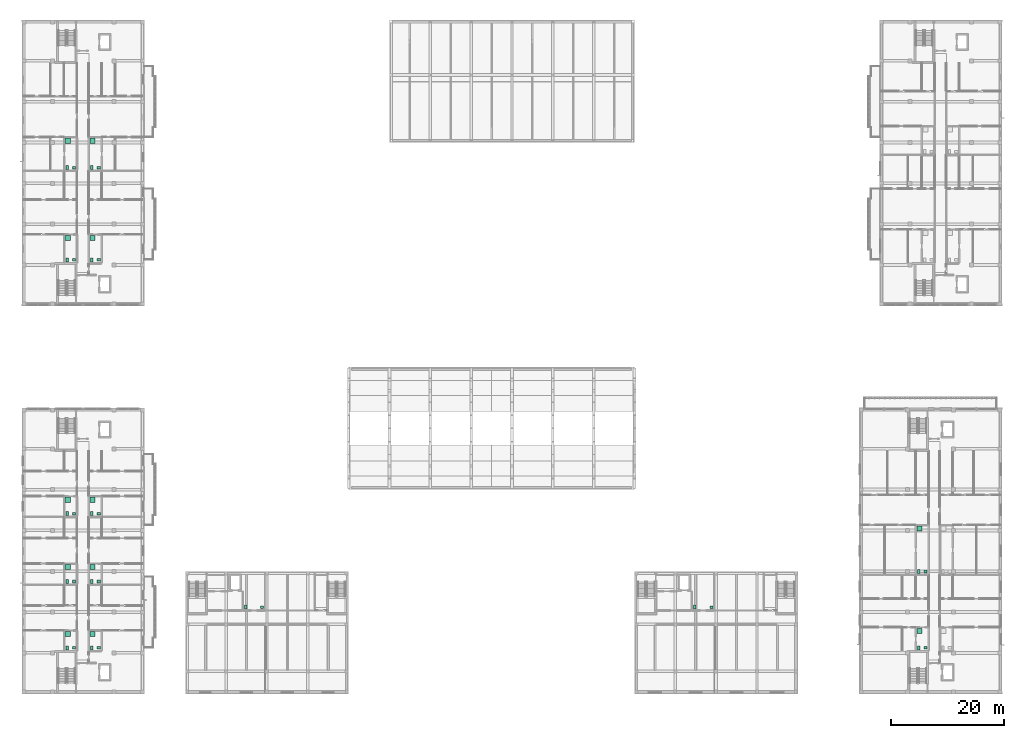
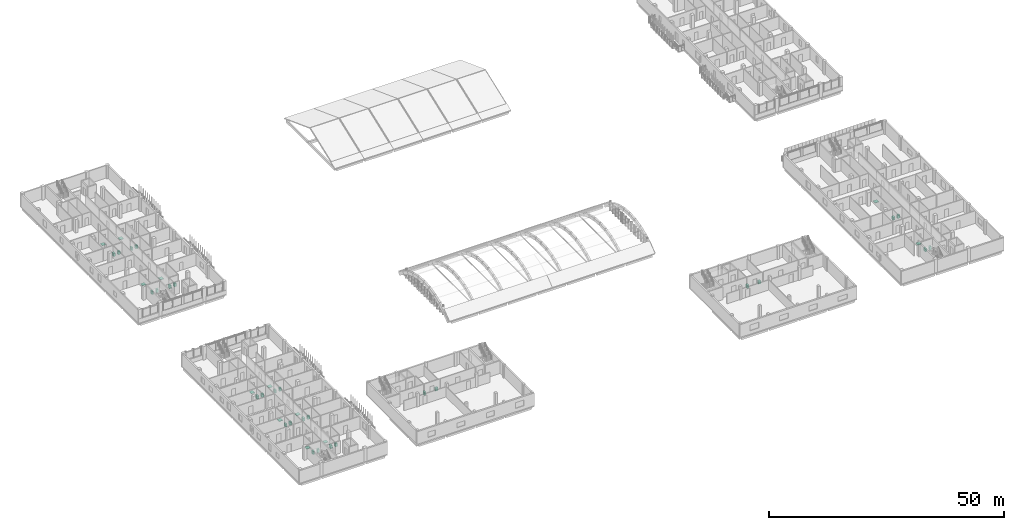
# One storey, part 72 of 73: 40 sanitary terminals.
"""IFC4 building model written with IfcOpenShell, lengths in metres."""

from ifc_helpers import new_model, si_unit, derived_unit, direction, frame, origin, origin_2d, place, context, subcontext, project, spatial, rectangle, extrude, material, type_object, element, save


model = new_model("IFC4")

# Units and contexts
model_context = context("Model", 3, precision=1e-05, world=origin(), true_north=direction((0.0, 1.0)))
body_context = subcontext(model_context, "Body", "Model", "MODEL_VIEW")
ifc_project = project(units=[si_unit("LENGTHUNIT", "METRE"), si_unit("AREAUNIT", "SQUARE_METRE"), si_unit("VOLUMEUNIT", "CUBIC_METRE"), si_unit("PLANEANGLEUNIT", "RADIAN"), si_unit("MASSUNIT", "GRAM", prefix="KILO"), derived_unit("THERMALTRANSMITTANCEUNIT", [(si_unit("MASSUNIT", "GRAM", prefix="KILO"), 1), (si_unit("TIMEUNIT", "SECOND"), -3), (si_unit("THERMODYNAMICTEMPERATUREUNIT", "KELVIN"), -1)])], contexts=[model_context])

# Site, building, storey
site_placement = place(None, origin())
site = spatial("IfcSite", under=ifc_project, at=site_placement, CompositionType="ELEMENT")
building_placement = place(site_placement, origin())
building = spatial("IfcBuilding", under=site, at=building_placement, Name="Ochrekiln Boulevard Commons", CompositionType="ELEMENT")
storey_placement = place(building_placement, frame((0.0, 0.0, 8.574951171875)))
storey = spatial("IfcBuildingStorey", under=building, at=storey_placement, Name="L02", CompositionType="ELEMENT", Elevation=8.574951171875)

# Sanitary terminals
ifc_material = material(Name="Vitreous china sanitaryware")
sanitary_terminal_type_1 = type_object("IfcSanitaryTerminalType", Name="SAN-BAS", PredefinedType="WASHHANDBASIN", material=ifc_material)
for number, where, z_axis, x_axis, name in (
    (1, (9.169921875, 76.5, 0.0), (0.0, 0.0, 1.0), (1.0, 0.0, 0.0), "L02 Washhand Basin Fixture"),
    (2, (9.169921875, 92.781982421875, 0.0), (0.0, 0.0, 1.0), (1.0, 0.0, 0.0), "L02 Washhand Basin Fixture"),
    (3, (13.530029296875, 76.5, 0.0), (0.0, 0.0, 1.0), (1.0, 0.0, 0.0), "L02 Washhand Basin Fixture"),
    (4, (13.530029296875, 92.781982421875, 0.0), (0.0, 0.0, 1.0), (1.0, 0.0, 0.0), "L02 Washhand Basin Fixture"),
    (5, (159.320068359375, 8.10009765625, 0.0), (0.0, 0.0, 1.0), (1.0, 0.0, 0.0), "L02 Washhand Basin Fixture"),
    (6, (159.320068359375, 21.56591796875, 0.0), (0.0, 0.0, 1.0), (1.0, 0.0, 0.0), "L02 Washhand Basin Fixture"),
    (7, (9.169921875, 8.10009765625, 0.0), (0.0, 0.0, 1.0), (1.0, 0.0, 0.0), "L02 Washhand Basin Fixture"),
    (8, (9.169921875, 19.805908203125, 0.0), (0.0, 0.0, 1.0), (1.0, 0.0, 0.0), "L02 Washhand Basin Fixture"),
    (9, (9.169921875, 31.77392578125, 0.0), (0.0, 0.0, 1.0), (1.0, 0.0, 0.0), "L02 Washhand Basin Fixture"),
    (10, (13.530029296875, 8.10009765625, 0.0), (0.0, 0.0, 1.0), (1.0, 0.0, 0.0), "L02 Washhand Basin Fixture"),
    (11, (13.530029296875, 19.805908203125, 0.0), (0.0, 0.0, 1.0), (1.0, 0.0, 0.0), "L02 Washhand Basin Fixture"),
    (12, (13.530029296875, 31.77392578125, 0.0), (0.0, 0.0, 1.0), (1.0, 0.0, 0.0), "L02 Washhand Basin Fixture"),
    (13, (42.35009765625, 15.280029296875, 0.0), (0.0, 0.0, 1.0), (1.0, 0.0, 0.0), "L02 Washhand Basin Fixture"),
    (14, (121.550048828125, 15.280029296875, 0.0), (0.0, 0.0, 1.0), (1.0, 0.0, 0.0), "L02 Washhand Basin Fixture"),
):
    element("IfcSanitaryTerminal", number, at=place(storey_placement, frame(where, z_axis=z_axis, x_axis=x_axis)), inside=storey, type_object=sanitary_terminal_type_1, Name=name, PredefinedType="WASHHANDBASIN", context=body_context, shape_type="SweptSolid", body=[
        extrude(rectangle(XDim=0.550048828125, YDim=0.4599609375, at=origin_2d()), origin(), (0.0, 0.0, 1.0), 0.840087890625),
    ])
sanitary_terminal_type_2 = type_object("IfcSanitaryTerminalType", Name="SAN-SHW", PredefinedType="SHOWER", material=ifc_material)
for number, where, z_axis, x_axis, name in (
    (15, (8.070068359375, 80.362060546875, 0.0), (0.0, 0.0, 1.0), (1.0, 0.0, 0.0), "L02 Shower Receptor"),
    (16, (8.070068359375, 97.51708984375, 0.0), (0.0, 0.0, 1.0), (1.0, 0.0, 0.0), "L02 Shower Receptor"),
    (17, (12.429931640625, 80.362060546875, 0.0), (0.0, 0.0, 1.0), (1.0, 0.0, 0.0), "L02 Shower Receptor"),
    (18, (12.429931640625, 97.51708984375, 0.0), (0.0, 0.0, 1.0), (1.0, 0.0, 0.0), "L02 Shower Receptor"),
    (19, (158.219970703125, 11.089111328125, 0.0), (0.0, 0.0, 1.0), (1.0, 0.0, 0.0), "L02 Shower Receptor"),
    (20, (158.219970703125, 29.1201171875, 0.0), (0.0, 0.0, 1.0), (1.0, 0.0, 0.0), "L02 Shower Receptor"),
    (21, (8.070068359375, 10.54296875, 0.0), (0.0, 0.0, 1.0), (1.0, 0.0, 0.0), "L02 Shower Receptor"),
    (22, (8.070068359375, 22.330078125, 0.0), (0.0, 0.0, 1.0), (1.0, 0.0, 0.0), "L02 Shower Receptor"),
    (23, (8.070068359375, 34.217041015625, 0.0), (0.0, 0.0, 1.0), (1.0, 0.0, 0.0), "L02 Shower Receptor"),
    (24, (12.429931640625, 10.54296875, 0.0), (0.0, 0.0, 1.0), (1.0, 0.0, 0.0), "L02 Shower Receptor"),
    (25, (12.429931640625, 22.330078125, 0.0), (0.0, 0.0, 1.0), (1.0, 0.0, 0.0), "L02 Shower Receptor"),
    (26, (12.429931640625, 34.217041015625, 0.0), (0.0, 0.0, 1.0), (1.0, 0.0, 0.0), "L02 Shower Receptor"),
):
    element("IfcSanitaryTerminal", number, at=place(storey_placement, frame(where, z_axis=z_axis, x_axis=x_axis)), inside=storey, type_object=sanitary_terminal_type_2, Name=name, PredefinedType="SHOWER", context=body_context, shape_type="SweptSolid", body=[
        extrude(rectangle(XDim=0.89990234375, YDim=0.89990234375, at=origin_2d()), origin(), (0.0, 0.0, 1.0), 0.1201171875),
    ])
sanitary_terminal_type_3 = type_object("IfcSanitaryTerminalType", Name="SAN-WC", PredefinedType="TOILETPAN", material=ifc_material)
for number, where, z_axis, x_axis, name in (
    (27, (7.969970703125, 76.5, 0.0), (0.0, 0.0, 1.0), (1.0, 0.0, 0.0), "L02 Water Closet Fixture"),
    (28, (7.969970703125, 92.781982421875, 0.0), (0.0, 0.0, 1.0), (1.0, 0.0, 0.0), "L02 Water Closet Fixture"),
    (29, (12.330078125, 76.5, 0.0), (0.0, 0.0, 1.0), (1.0, 0.0, 0.0), "L02 Water Closet Fixture"),
    (30, (12.330078125, 92.781982421875, 0.0), (0.0, 0.0, 1.0), (1.0, 0.0, 0.0), "L02 Water Closet Fixture"),
    (31, (158.1201171875, 8.10009765625, 0.0), (0.0, 0.0, 1.0), (1.0, 0.0, 0.0), "L02 Water Closet Fixture"),
    (32, (158.1201171875, 21.56591796875, 0.0), (0.0, 0.0, 1.0), (1.0, 0.0, 0.0), "L02 Water Closet Fixture"),
    (33, (7.969970703125, 8.10009765625, 0.0), (0.0, 0.0, 1.0), (1.0, 0.0, 0.0), "L02 Water Closet Fixture"),
    (34, (7.969970703125, 19.805908203125, 0.0), (0.0, 0.0, 1.0), (1.0, 0.0, 0.0), "L02 Water Closet Fixture"),
    (35, (7.969970703125, 31.77392578125, 0.0), (0.0, 0.0, 1.0), (1.0, 0.0, 0.0), "L02 Water Closet Fixture"),
    (36, (12.330078125, 8.10009765625, 0.0), (0.0, 0.0, 1.0), (1.0, 0.0, 0.0), "L02 Water Closet Fixture"),
    (37, (12.330078125, 19.805908203125, 0.0), (0.0, 0.0, 1.0), (1.0, 0.0, 0.0), "L02 Water Closet Fixture"),
    (38, (12.330078125, 31.77392578125, 0.0), (0.0, 0.0, 1.0), (1.0, 0.0, 0.0), "L02 Water Closet Fixture"),
    (39, (39.449951171875, 15.280029296875, 0.0), (0.0, 0.0, 1.0), (1.0, 0.0, 0.0), "L02 Water Closet Fixture"),
    (40, (118.64990234375, 15.280029296875, 0.0), (0.0, 0.0, 1.0), (1.0, 0.0, 0.0), "L02 Water Closet Fixture"),
):
    element("IfcSanitaryTerminal", number, at=place(storey_placement, frame(where, z_axis=z_axis, x_axis=x_axis)), inside=storey, type_object=sanitary_terminal_type_3, Name=name, PredefinedType="TOILETPAN", context=body_context, shape_type="SweptSolid", body=[
        extrude(rectangle(XDim=0.419921875, YDim=0.679931640625, at=origin_2d()), origin(), (0.0, 0.0, 1.0), 0.780029296875),
    ])

save(model, "model.ifc")
